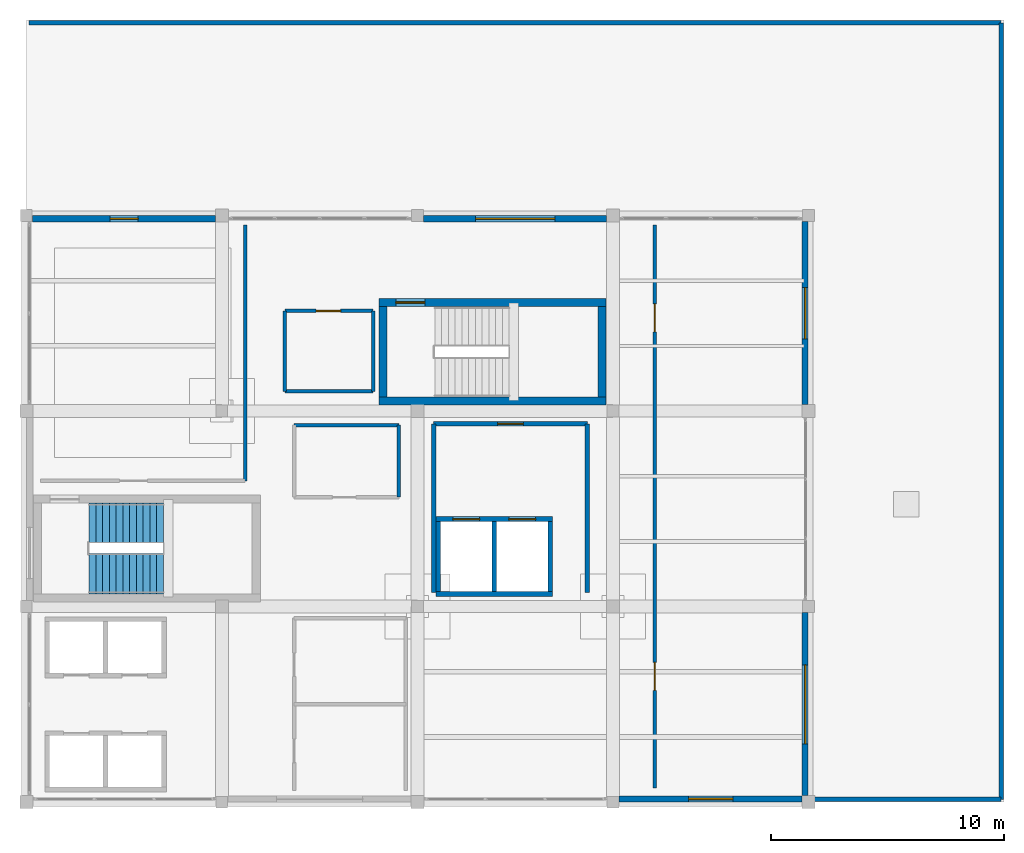
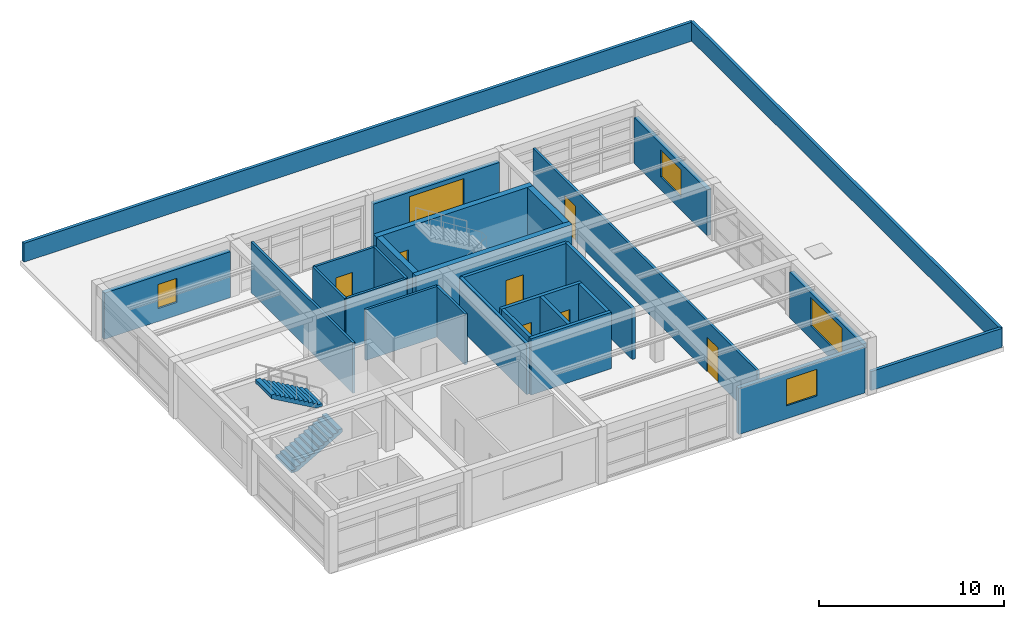
# One storey, part 20 of 22: 28 walls, 7 doors, 5 windows, 2 stair flights, 12 openings, 1 element without a shape of its own.
"""IFC4 building model written with IfcOpenShell, lengths in metres."""

from ifc_helpers import new_model, si_unit, direction, frame, frame_2d, origin, place, context, subcontext, project, spatial, polyline, rectangle, outline, extrude, material, layer, layer_set, type_object, element, fill, aggregate, save


model = new_model("IFC4")

# Units and contexts
model_context = context("Model", 3, precision=1e-05, world=origin(), true_north=direction((0.0, 1.0)))
body_context = subcontext(model_context, "Body", "Model", "MODEL_VIEW")
ifc_project = project(units=[si_unit("LENGTHUNIT", "METRE"), si_unit("AREAUNIT", "SQUARE_METRE"), si_unit("VOLUMEUNIT", "CUBIC_METRE"), si_unit("PLANEANGLEUNIT", "RADIAN"), si_unit("MASSUNIT", "GRAM", prefix="KILO")], contexts=[model_context])

# Site, building, storey
site_placement = place(None, origin())
site = spatial("IfcSite", under=ifc_project, at=site_placement, CompositionType="ELEMENT")
building_placement = place(site_placement, origin())
building = spatial("IfcBuilding", under=site, at=building_placement, Name="Almacenes y Pasaje Nevantli", CompositionType="ELEMENT")
storey_placement = place(building_placement, frame((0.0, 0.0, 58.699951171875)))
storey = spatial("IfcBuildingStorey", under=building, at=storey_placement, Name="L14", CompositionType="ELEMENT", Elevation=58.699951171875)

# Wall, opening, door
ifc_material_1 = material(Name="Fire-Rated Concrete Blockwork", Category="masonry")
ifc_layer_1 = layer(ifc_material_1, 0.199951171875)
ifc_layer_set_1 = layer_set([ifc_layer_1], Name="Fire-Rated Concrete Blockwork")
wall_type_1 = type_object("IfcWallType", Name="WL-COMP-200", PredefinedType="PARTITIONING", material=ifc_layer_set_1)
wall_1_placement = place(storey_placement, frame((135.10009765625, 83.449951171875, 0.0), z_axis=(0.0, 0.0, 1.0), x_axis=(1.0, 0.0, 0.0)))
wall_1 = element("IfcWall", 1, at=wall_1_placement, inside=storey, type_object=wall_type_1, Name="L14 Interior Partition Wall IW-200 #240", PredefinedType="PARTITIONING", context=body_context, shape_type="SweptSolid", body=[
    extrude(rectangle(XDim=6.599853515625, YDim=0.199951171875, at=frame_2d((3.2998046875, 0.0))), origin(), (0.0, 0.0, 1.0), 3.340087890625),
])
opening_1_placement = place(wall_1_placement, frame((2.75, 0.0, 0.0)))
opening_1 = element("IfcOpeningElement", 2, at=opening_1_placement, cuts=wall_1, Name="Opening ID-L14-129", PredefinedType="OPENING", context=body_context, shape_type="SweptSolid", body=[
    extrude(rectangle(XDim=1.10009765625, YDim=2.199951171875, at=frame_2d((0.550048828125, 1.10009765625))), frame((0.0, 0.10986328125, 0.0), z_axis=(0.0, -1.0, 0.0), x_axis=(1.0, 0.0, 0.0)), (0.0, 0.0, 1.0), 0.219970703125),
])
ifc_material_2 = material(Name="Galvanized Fire-Rated Steel", Category="steel")
door_type_1 = type_object("IfcDoorType", Name="DR-FD90-1100R", OperationType="SINGLE_SWING_RIGHT", PredefinedType="DOOR", material=ifc_material_2)
door_1_placement = place(opening_1_placement, origin())
door_1 = element("IfcDoor", 3, at=door_1_placement, inside=storey, type_object=door_type_1, Name="L14 Firefighting Lobby Door", OperationType="SINGLE_SWING_RIGHT", OverallHeight=2.199951171875, OverallWidth=1.10009765625, PredefinedType="DOOR", context=body_context, shape_type="SweptSolid", body=[
    extrude(rectangle(XDim=1.10009765625, YDim=2.199951171875, at=frame_2d((0.550048828125, 1.10009765625))), frame((0.0, 0.02490234375, 0.0), z_axis=(0.0, -1.0, 0.0), x_axis=(1.0, 0.0, 0.0)), (0.0, 0.0, 1.0), 0.050048828125),
])
fill(opening_1, door_1)

# Walls
for number, where, z_axis, x_axis, name in (
    (4, (135.10009765625, 76.199951171875, 0.0), (0.0, 0.0, 1.0), (0.0, 1.0, 0.0), "L14 Interior Partition Wall IW-200 #241"),
    (5, (141.699951171875, 76.199951171875, 0.0), (0.0, 0.0, 1.0), (0.0, 1.0, 0.0), "L14 Interior Partition Wall IW-200 #242"),
):
    element("IfcWall", number, at=place(storey_placement, frame(where, z_axis=z_axis, x_axis=x_axis)), inside=storey, type_object=wall_type_1, Name=name, PredefinedType="PARTITIONING", context=body_context, shape_type="SweptSolid", body=[
        extrude(rectangle(XDim=7.25, YDim=0.199951171875, at=frame_2d((3.625, 0.0))), origin(), (0.0, 0.0, 1.0), 3.340087890625),
    ])
ifc_material_3 = material(Name="Concrete C45/55", Category="concrete")
ifc_layer_2 = layer(ifc_material_3, 0.35009765625)
ifc_layer_set_2 = layer_set([ifc_layer_2], Name="Concrete C45/55")
wall_type_2 = type_object("IfcWallType", Name="WL-CORE-350", PredefinedType="SHEAR", material=ifc_layer_set_2)
wall_2_placement = place(storey_placement, frame((132.75, 84.425048828125, 0.0), z_axis=(0.0, 0.0, 1.0), x_axis=(1.0, 0.0, 0.0)))
element("IfcWall", 6, at=wall_2_placement, inside=storey, type_object=wall_type_2, Name="L14 Exit Stair ST-02 South Core Shear Wall", PredefinedType="SHEAR", context=body_context, shape_type="SweptSolid", body=[
    extrude(rectangle(XDim=9.75, YDim=0.35009765625, at=frame_2d((4.875, 0.0))), origin(), (0.0, 0.0, 1.0), 3.719970703125),
])

# Wall, opening, door
wall_3_placement = place(storey_placement, frame((132.75, 88.6650390625, 0.0), z_axis=(0.0, 0.0, 1.0), x_axis=(1.0, 0.0, 0.0)))
wall_3 = element("IfcWall", 7, at=wall_3_placement, inside=storey, type_object=wall_type_2, Name="L14 Exit Stair ST-02 North Core Shear Wall", PredefinedType="SHEAR", context=body_context, shape_type="SweptSolid", body=[
    extrude(rectangle(XDim=9.75, YDim=0.35009765625, at=frame_2d((4.875, 0.0))), origin(), (0.0, 0.0, 1.0), 3.719970703125),
])
opening_2_placement = place(wall_3_placement, frame((0.719970703125, 0.0, 0.0)))
opening_2 = element("IfcOpeningElement", 8, at=opening_2_placement, cuts=wall_3, Name="Opening SD-02-L14", PredefinedType="OPENING", context=body_context, shape_type="SweptSolid", body=[
    extrude(rectangle(XDim=1.25, YDim=2.199951171875, at=frame_2d((0.625, 1.10009765625))), frame((0.0, 0.18505859375, 0.0), z_axis=(0.0, -1.0, 0.0), x_axis=(1.0, 0.0, 0.0)), (0.0, 0.0, 1.0), 0.3701171875),
])
ifc_material_4 = material(Name="Galvanized Fire-Rated Steel", Category="steel")
door_type_2 = type_object("IfcDoorType", Name="DR-STAIR-1250R", OperationType="SINGLE_SWING_RIGHT", PredefinedType="DOOR", material=ifc_material_4)
door_2_placement = place(opening_2_placement, origin())
door_2 = element("IfcDoor", 9, at=door_2_placement, inside=storey, type_object=door_type_2, Name="L14 Smokeproof Exit Stair ST-02 Fire Door", OperationType="SINGLE_SWING_RIGHT", OverallHeight=2.199951171875, OverallWidth=1.25, PredefinedType="DOOR", context=body_context, shape_type="SweptSolid", body=[
    extrude(rectangle(XDim=1.25, YDim=2.199951171875, at=frame_2d((0.625, 1.10009765625))), frame((0.0, 0.02490234375, 0.0), z_axis=(0.0, -1.0, 0.0), x_axis=(1.0, 0.0, 0.0)), (0.0, 0.0, 1.0), 0.050048828125),
])
fill(opening_2, door_2)

# Walls
for number, where, z_axis, x_axis, name in (
    (10, (132.925048828125, 84.60009765625, 0.0), (0.0, 0.0, 1.0), (0.0, 1.0, 0.0), "L14 Exit Stair ST-02 West Core Shear Wall"),
    (11, (142.324951171875, 84.60009765625, 0.0), (0.0, 0.0, 1.0), (0.0, 1.0, 0.0), "L14 Exit Stair ST-02 East Core Shear Wall"),
):
    element("IfcWall", number, at=place(storey_placement, frame(where, z_axis=z_axis, x_axis=x_axis)), inside=storey, type_object=wall_type_2, Name=name, PredefinedType="SHEAR", context=body_context, shape_type="SweptSolid", body=[
        extrude(rectangle(XDim=3.889892578125, YDim=0.35009765625, at=frame_2d((1.94482421875, 0.0))), origin(), (0.0, 0.0, 1.0), 3.719970703125),
    ])

# Wall, opening, window
ifc_material_5 = material(Name="Architectural Precast Concrete C35/45 Spandrel Wall", Category="concrete")
ifc_layer_3 = layer(ifc_material_5, 0.280029296875)
ifc_layer_set_3 = layer_set([ifc_layer_3], Name="Architectural Precast Concrete C35/45 Spandrel Wall")
wall_type_3 = type_object("IfcWallType", Name="WL-EXT-CANTERA-280", PredefinedType="SOLIDWALL", material=ifc_layer_set_3)
wall_4_placement = place(storey_placement, frame((117.85205078125, 92.260009765625, 0.0), z_axis=(0.0, 0.0, 1.0), x_axis=(1.0, 0.0, 0.0)))
wall_4 = element("IfcWall", 12, at=wall_4_placement, inside=storey, type_object=wall_type_3, Name="L14 Tower North Polychrome Cantera Wall Bay 15", PredefinedType="SOLIDWALL", context=body_context, shape_type="SweptSolid", body=[
    extrude(rectangle(XDim=7.869873046875, YDim=0.280029296875, at=frame_2d((3.93505859375, 0.0))), origin(), (0.0, 0.0, 1.0), 3.0400390625),
])
opening_3_placement = place(wall_4_placement, frame((3.347900390625, 0.0, 0.85009765625)))
opening_3 = element("IfcOpeningElement", 13, at=opening_3_placement, cuts=wall_4, Name="Opening WT-35-268", PredefinedType="OPENING", context=body_context, shape_type="SweptSolid", body=[
    extrude(rectangle(XDim=1.199951171875, YDim=1.60009765625, at=frame_2d((0.60009765625, 0.800048828125))), frame((0.0, 0.14990234375, 0.0), z_axis=(0.0, -1.0, 0.0), x_axis=(1.0, 0.0, 0.0)), (0.0, 0.0, 1.0), 0.300048828125),
])
ifc_material_6 = material(Name="Thermally Broken Aluminium and Low-E Double Glazing", Category="aluminium")
window_type_1 = type_object("IfcWindowType", Name="WN-TWR-1200x1600", PartitioningType="SINGLE_PANEL", PredefinedType="WINDOW", material=ifc_material_6)
window_1_placement = place(opening_3_placement, origin())
window_1 = element("IfcWindow", 14, at=window_1_placement, inside=storey, type_object=window_type_1, Name="L14 Exterior Window WT-35 #268", OverallHeight=1.60009765625, OverallWidth=1.199951171875, PartitioningType="SINGLE_PANEL", PredefinedType="WINDOW", context=body_context, shape_type="SweptSolid", body=[
    extrude(rectangle(XDim=1.199951171875, YDim=1.60009765625, at=frame_2d((0.60009765625, 0.800048828125))), frame((0.0, 0.030029296875, 0.0), z_axis=(0.0, -1.0, 0.0), x_axis=(1.0, 0.0, 0.0)), (0.0, 0.0, 1.0), 0.06005859375),
])
fill(opening_3, window_1)

wall_5_placement = place(storey_placement, frame((134.654052734375, 92.260009765625, 0.0), z_axis=(0.0, 0.0, 1.0), x_axis=(1.0, 0.0, 0.0)))
wall_5 = element("IfcWall", 15, at=wall_5_placement, inside=storey, type_object=wall_type_3, Name="L14 Tower North Polychrome Cantera Wall Bay 17", PredefinedType="SOLIDWALL", context=body_context, shape_type="SweptSolid", body=[
    extrude(rectangle(XDim=7.867919921875, YDim=0.280029296875, at=frame_2d((3.93408203125, 0.0))), origin(), (0.0, 0.0, 1.0), 3.0400390625),
])
opening_4_placement = place(wall_5_placement, frame((2.24609375, 0.0, 0.85009765625)))
opening_4 = element("IfcOpeningElement", 16, at=opening_4_placement, cuts=wall_5, Name="Opening WT-27-270", PredefinedType="OPENING", context=body_context, shape_type="SweptSolid", body=[
    extrude(rectangle(XDim=3.39990234375, YDim=1.89990234375, at=frame_2d((1.699951171875, 0.949951171875))), frame((0.0, 0.14990234375, 0.0), z_axis=(0.0, -1.0, 0.0), x_axis=(1.0, 0.0, 0.0)), (0.0, 0.0, 1.0), 0.300048828125),
])
ifc_material_7 = material(Name="Thermally Broken Aluminium and Low-E Double Glazing", Category="aluminium")
window_type_2 = type_object("IfcWindowType", Name="WN-TWR-3400x1900", PartitioningType="SINGLE_PANEL", PredefinedType="WINDOW", material=ifc_material_7)
window_2_placement = place(opening_4_placement, origin())
window_2 = element("IfcWindow", 17, at=window_2_placement, inside=storey, type_object=window_type_2, Name="L14 Exterior Window WT-27 #270", OverallHeight=1.89990234375, OverallWidth=3.39990234375, PartitioningType="SINGLE_PANEL", PredefinedType="WINDOW", context=body_context, shape_type="SweptSolid", body=[
    extrude(rectangle(XDim=3.39990234375, YDim=1.89990234375, at=frame_2d((1.699951171875, 0.949951171875))), frame((0.0, 0.030029296875, 0.0), z_axis=(0.0, -1.0, 0.0), x_axis=(1.0, 0.0, 0.0)), (0.0, 0.0, 1.0), 0.06005859375),
])
fill(opening_4, window_2)

ifc_material_8 = material(Name="Cream Architectural Precast Concrete C35/45 Wall", Category="concrete")
ifc_layer_4 = layer(ifc_material_8, 0.260009765625)
ifc_layer_set_4 = layer_set([ifc_layer_4], Name="Cream Architectural Precast Concrete C35/45 Wall")
wall_type_4 = type_object("IfcWallType", Name="WL-EXT-PRECAST-260", PredefinedType="SOLIDWALL", material=ifc_layer_set_4)
wall_6_placement = place(storey_placement, frame((143.053955078125, 67.340087890625, 0.0), z_axis=(0.0, 0.0, 1.0), x_axis=(1.0, 0.0, 0.0)))
wall_6 = element("IfcWall", 18, at=wall_6_placement, inside=storey, type_object=wall_type_4, Name="L14 Tower South Precast Spandrel Wall Bay 18", PredefinedType="SOLIDWALL", context=body_context, shape_type="SweptSolid", body=[
    extrude(rectangle(XDim=7.8681640625, YDim=0.260009765625, at=frame_2d((3.93408203125, 0.0))), origin(), (0.0, 0.0, 1.0), 3.0400390625),
])
opening_5_placement = place(wall_6_placement, frame((2.99609375, 0.0, 0.85009765625)))
opening_5 = element("IfcOpeningElement", 19, at=opening_5_placement, cuts=wall_6, Name="Opening WT-32-271", PredefinedType="OPENING", context=body_context, shape_type="SweptSolid", body=[
    extrude(rectangle(XDim=1.89990234375, YDim=1.75, at=frame_2d((0.949951171875, 0.875))), frame((0.0, 0.139892578125, 0.0), z_axis=(0.0, -1.0, 0.0), x_axis=(1.0, 0.0, 0.0)), (0.0, 0.0, 1.0), 0.280029296875),
])
ifc_material_9 = material(Name="Thermally Broken Aluminium and Low-E Double Glazing", Category="aluminium")
window_type_3 = type_object("IfcWindowType", Name="WN-TWR-1900x1750", PartitioningType="SINGLE_PANEL", PredefinedType="WINDOW", material=ifc_material_9)
window_3_placement = place(opening_5_placement, origin())
window_3 = element("IfcWindow", 20, at=window_3_placement, inside=storey, type_object=window_type_3, Name="L14 Exterior Window WT-32 #271", OverallHeight=1.75, OverallWidth=1.89990234375, PartitioningType="SINGLE_PANEL", PredefinedType="WINDOW", context=body_context, shape_type="SweptSolid", body=[
    extrude(rectangle(XDim=1.89990234375, YDim=1.75, at=frame_2d((0.949951171875, 0.875))), frame((0.0, 0.030029296875, 0.0), z_axis=(0.0, -1.0, 0.0), x_axis=(1.0, 0.0, 0.0)), (0.0, 0.0, 1.0), 0.06005859375),
])
fill(opening_5, window_3)

wall_7_placement = place(storey_placement, frame((151.06005859375, 67.47802734375, 0.0), z_axis=(0.0, 0.0, 1.0), x_axis=(0.0, 1.0, 0.0)))
wall_7 = element("IfcWall", 21, at=wall_7_placement, inside=storey, type_object=wall_type_4, Name="L14 Tower East Precast Wall Bay 9", PredefinedType="SOLIDWALL", context=body_context, shape_type="SweptSolid", body=[
    extrude(rectangle(XDim=7.867919921875, YDim=0.260009765625, at=frame_2d((3.93408203125, 0.0))), origin(), (0.0, 0.0, 1.0), 3.0400390625),
])
opening_6_placement = place(wall_7_placement, frame((2.221923828125, 0.0, 0.85009765625)))
opening_6 = element("IfcOpeningElement", 22, at=opening_6_placement, cuts=wall_7, Name="Opening WT-27-272", PredefinedType="OPENING", context=body_context, shape_type="SweptSolid", body=[
    extrude(rectangle(XDim=3.39990234375, YDim=1.89990234375, at=frame_2d((1.699951171875, 0.949951171875))), frame((0.0, 0.139892578125, 0.0), z_axis=(0.0, -1.0, 0.0), x_axis=(1.0, 0.0, 0.0)), (0.0, 0.0, 1.0), 0.280029296875),
])
window_4_placement = place(opening_6_placement, origin())
window_4 = element("IfcWindow", 23, at=window_4_placement, inside=storey, type_object=window_type_2, Name="L14 Exterior Window WT-27 #272", OverallHeight=1.89990234375, OverallWidth=3.39990234375, PartitioningType="SINGLE_PANEL", PredefinedType="WINDOW", context=body_context, shape_type="SweptSolid", body=[
    extrude(rectangle(XDim=3.39990234375, YDim=1.89990234375, at=frame_2d((1.699951171875, 0.949951171875))), frame((0.0, 0.030029296875, 0.0), z_axis=(0.0, -1.0, 0.0), x_axis=(1.0, 0.0, 0.0)), (0.0, 0.0, 1.0), 0.06005859375),
])
fill(opening_6, window_4)

wall_8_placement = place(storey_placement, frame((151.06005859375, 84.278076171875, 0.0), z_axis=(0.0, 0.0, 1.0), x_axis=(0.0, 1.0, 0.0)))
wall_8 = element("IfcWall", 24, at=wall_8_placement, inside=storey, type_object=wall_type_4, Name="L14 Tower East Precast Wall Bay 11", PredefinedType="SOLIDWALL", context=body_context, shape_type="SweptSolid", body=[
    extrude(rectangle(XDim=7.869873046875, YDim=0.260009765625, at=frame_2d((3.93505859375, 0.0))), origin(), (0.0, 0.0, 1.0), 3.0400390625),
])
opening_7_placement = place(wall_8_placement, frame((2.822021484375, 0.0, 0.85009765625)))
opening_7 = element("IfcOpeningElement", 25, at=opening_7_placement, cuts=wall_8, Name="Opening WT-31-274", PredefinedType="OPENING", context=body_context, shape_type="SweptSolid", body=[
    extrude(rectangle(XDim=2.199951171875, YDim=1.800048828125, at=frame_2d((1.10009765625, 0.89990234375))), frame((0.0, 0.139892578125, 0.0), z_axis=(0.0, -1.0, 0.0), x_axis=(1.0, 0.0, 0.0)), (0.0, 0.0, 1.0), 0.280029296875),
])
ifc_material_10 = material(Name="Thermally Broken Aluminium and Low-E Double Glazing", Category="aluminium")
window_type_4 = type_object("IfcWindowType", Name="WN-TWR-2200x1800", PartitioningType="SINGLE_PANEL", PredefinedType="WINDOW", material=ifc_material_10)
window_5_placement = place(opening_7_placement, origin())
window_5 = element("IfcWindow", 26, at=window_5_placement, inside=storey, type_object=window_type_4, Name="L14 Exterior Window WT-31 #274", OverallHeight=1.800048828125, OverallWidth=2.199951171875, PartitioningType="SINGLE_PANEL", PredefinedType="WINDOW", context=body_context, shape_type="SweptSolid", body=[
    extrude(rectangle(XDim=2.199951171875, YDim=1.800048828125, at=frame_2d((1.10009765625, 0.89990234375))), frame((0.0, 0.030029296875, 0.0), z_axis=(0.0, -1.0, 0.0), x_axis=(1.0, 0.0, 0.0)), (0.0, 0.0, 1.0), 0.06005859375),
])
fill(opening_7, window_5)

# Walls
ifc_material_11 = material(Name="Reinforced Concrete C35/45 Tower Parapet", Category="concrete")
ifc_layer_5 = layer(ifc_material_11, 0.18994140625)
ifc_layer_set_5 = layer_set([ifc_layer_5], Name="Reinforced Concrete C35/45 Tower Parapet")
wall_type_5 = type_object("IfcWallType", Name="WL-PARAPET-190", PredefinedType="PARAPET", material=ifc_layer_set_5)
wall_9_placement = place(storey_placement, frame((117.719970703125, 100.679931640625, 0.0), z_axis=(0.0, 0.0, 1.0), x_axis=(1.0, 0.0, 0.0)))
element("IfcWall", 27, at=wall_9_placement, inside=storey, type_object=wall_type_5, Name="L14 Setback North Parapet", PredefinedType="PARAPET", context=body_context, shape_type="SweptSolid", body=[
    extrude(rectangle(XDim=41.760009765625, YDim=0.18994140625, at=frame_2d((20.8798828125, 0.0))), origin(), (0.0, 0.0, 1.0), 1.25),
])
wall_10_placement = place(storey_placement, frame((159.47998046875, 67.320068359375, 0.0), z_axis=(0.0, 0.0, 1.0), x_axis=(0.0, 1.0, 0.0)))
element("IfcWall", 28, at=wall_10_placement, inside=storey, type_object=wall_type_5, Name="L14 Setback East Parapet", PredefinedType="PARAPET", context=body_context, shape_type="SweptSolid", body=[
    extrude(rectangle(XDim=33.35986328125, YDim=0.18994140625, at=frame_2d((16.679931640625, 0.0))), origin(), (0.0, 0.0, 1.0), 1.25),
])
wall_11_placement = place(storey_placement, frame((151.320068359375, 67.320068359375, 0.0), z_axis=(0.0, 0.0, 1.0), x_axis=(1.0, 0.0, 0.0)))
element("IfcWall", 29, at=wall_11_placement, inside=storey, type_object=wall_type_5, Name="L14 Setback South Parapet", PredefinedType="PARAPET", context=body_context, shape_type="SweptSolid", body=[
    extrude(rectangle(XDim=8.159912109375, YDim=0.18994140625, at=frame_2d((4.080078125, 0.0))), origin(), (0.0, 0.0, 1.0), 1.25),
])
ifc_material_12 = material(Name="Acoustic Steel-Stud Gypsum Partition", Category="steel")
ifc_layer_6 = layer(ifc_material_12, 0.14990234375)
ifc_layer_set_6 = layer_set([ifc_layer_6], Name="Acoustic Steel-Stud Gypsum Partition")
wall_type_6 = type_object("IfcWallType", Name="WL-PART-150", PredefinedType="PARTITIONING", material=ifc_layer_set_6)
wall_12_placement = place(storey_placement, frame((129.10009765625, 83.39990234375, 0.0), z_axis=(0.0, 0.0, 1.0), x_axis=(1.0, 0.0, 0.0)))
element("IfcWall", 30, at=wall_12_placement, inside=storey, type_object=wall_type_6, Name="L14 Interior Partition Wall IW-150 #244", PredefinedType="PARTITIONING", context=body_context, shape_type="SweptSolid", body=[
    extrude(rectangle(XDim=4.5, YDim=0.14990234375, at=frame_2d((2.25, 0.0))), origin(), (0.0, 0.0, 1.0), 3.340087890625),
])
wall_13_placement = place(storey_placement, frame((133.60009765625, 80.300048828125, 0.0), z_axis=(0.0, 0.0, 1.0), x_axis=(0.0, 1.0, 0.0)))
element("IfcWall", 31, at=wall_13_placement, inside=storey, type_object=wall_type_6, Name="L14 Interior Partition Wall IW-150 #246", PredefinedType="PARTITIONING", context=body_context, shape_type="SweptSolid", body=[
    extrude(rectangle(XDim=3.099853515625, YDim=0.14990234375, at=frame_2d((1.5498046875, 0.0))), origin(), (0.0, 0.0, 1.0), 3.340087890625),
])

# Wall, opening, door
wall_14_placement = place(storey_placement, frame((128.699951171875, 88.300048828125, 0.0), z_axis=(0.0, 0.0, 1.0), x_axis=(1.0, 0.0, 0.0)))
wall_14 = element("IfcWall", 32, at=wall_14_placement, inside=storey, type_object=wall_type_6, Name="L14 Interior Partition Wall IW-150 #247", PredefinedType="PARTITIONING", context=body_context, shape_type="SweptSolid", body=[
    extrude(rectangle(XDim=3.800048828125, YDim=0.14990234375, at=frame_2d((1.89990234375, 0.0))), origin(), (0.0, 0.0, 1.0), 3.340087890625),
])
opening_8_placement = place(wall_14_placement, frame((1.35009765625, 0.0, 0.0)))
opening_8 = element("IfcOpeningElement", 33, at=opening_8_placement, cuts=wall_14, Name="Opening ID-L14-131", PredefinedType="OPENING", context=body_context, shape_type="SweptSolid", body=[
    extrude(rectangle(XDim=1.050048828125, YDim=2.14990234375, at=frame_2d((0.52490234375, 1.074951171875))), frame((0.0, 0.0849609375, 0.0), z_axis=(0.0, -1.0, 0.0), x_axis=(1.0, 0.0, 0.0)), (0.0, 0.0, 1.0), 0.169921875),
])
ifc_material_13 = material(Name="Powder-Coated Hollow Metal", Category="steel")
door_type_3 = type_object("IfcDoorType", Name="DR-ACC-1050", OperationType="SINGLE_SWING_RIGHT", PredefinedType="DOOR", material=ifc_material_13)
door_3_placement = place(opening_8_placement, origin())
door_3 = element("IfcDoor", 34, at=door_3_placement, inside=storey, type_object=door_type_3, Name="L14 Accessible WC Door", OperationType="SINGLE_SWING_RIGHT", OverallHeight=2.14990234375, OverallWidth=1.050048828125, PredefinedType="DOOR", context=body_context, shape_type="SweptSolid", body=[
    extrude(rectangle(XDim=1.050048828125, YDim=2.14990234375, at=frame_2d((0.52490234375, 1.074951171875))), frame((0.0, 0.02490234375, 0.0), z_axis=(0.0, -1.0, 0.0), x_axis=(1.0, 0.0, 0.0)), (0.0, 0.0, 1.0), 0.050048828125),
])
fill(opening_8, door_3)

# Walls
wall_15_placement = place(storey_placement, frame((128.699951171875, 84.85009765625, 0.0), z_axis=(0.0, 0.0, 1.0), x_axis=(1.0, 0.0, 0.0)))
element("IfcWall", 35, at=wall_15_placement, inside=storey, type_object=wall_type_6, Name="L14 Interior Partition Wall IW-150 #248", PredefinedType="PARTITIONING", context=body_context, shape_type="SweptSolid", body=[
    extrude(rectangle(XDim=3.800048828125, YDim=0.14990234375, at=frame_2d((1.89990234375, 0.0))), origin(), (0.0, 0.0, 1.0), 3.340087890625),
])
for number, where, z_axis, x_axis, name in (
    (36, (128.699951171875, 84.85009765625, 0.0), (0.0, 0.0, 1.0), (0.0, 1.0, 0.0), "L14 Interior Partition Wall IW-150 #249"),
    (37, (132.5, 84.85009765625, 0.0), (0.0, 0.0, 1.0), (0.0, 1.0, 0.0), "L14 Interior Partition Wall IW-150 #250"),
):
    element("IfcWall", number, at=place(storey_placement, frame(where, z_axis=z_axis, x_axis=x_axis)), inside=storey, type_object=wall_type_6, Name=name, PredefinedType="PARTITIONING", context=body_context, shape_type="SweptSolid", body=[
        extrude(rectangle(XDim=3.449951171875, YDim=0.14990234375, at=frame_2d((1.72509765625, 0.0))), origin(), (0.0, 0.0, 1.0), 3.340087890625),
    ])

# Wall, openings, doors
wall_16_placement = place(storey_placement, frame((144.60009765625, 67.800048828125, 0.0), z_axis=(0.0, 0.0, 1.0), x_axis=(0.0, 1.0, 0.0)))
wall_16 = element("IfcWall", 38, at=wall_16_placement, inside=storey, type_object=wall_type_6, Name="L14 Interior Partition Wall IW-150 #255", PredefinedType="PARTITIONING", context=body_context, shape_type="SweptSolid", body=[
    extrude(rectangle(XDim=24.199951171875, YDim=0.14990234375, at=frame_2d((12.10009765625, 0.0))), origin(), (0.0, 0.0, 1.0), 3.340087890625),
])
opening_9_placement = place(wall_16_placement, frame((4.199951171875, 0.0, 0.0)))
opening_9 = element("IfcOpeningElement", 39, at=opening_9_placement, cuts=wall_16, Name="Opening ID-L14-134", PredefinedType="OPENING", context=body_context, shape_type="SweptSolid", body=[
    extrude(rectangle(XDim=1.199951171875, YDim=2.300048828125, at=frame_2d((0.60009765625, 1.14990234375))), frame((0.0, 0.0849609375, 0.0), z_axis=(0.0, -1.0, 0.0), x_axis=(1.0, 0.0, 0.0)), (0.0, 0.0, 1.0), 0.169921875),
])
opening_10_placement = place(wall_16_placement, frame((19.60009765625, 0.0, 0.0)))
opening_10 = element("IfcOpeningElement", 40, at=opening_10_placement, cuts=wall_16, Name="Opening ID-L14-135", PredefinedType="OPENING", context=body_context, shape_type="SweptSolid", body=[
    extrude(rectangle(XDim=1.199951171875, YDim=2.300048828125, at=frame_2d((0.60009765625, 1.14990234375))), frame((0.0, 0.0849609375, 0.0), z_axis=(0.0, -1.0, 0.0), x_axis=(1.0, 0.0, 0.0)), (0.0, 0.0, 1.0), 0.169921875),
])
ifc_material_14 = material(Name="Anodized Aluminium and Tempered Acoustic Glass", Category="aluminium")
door_type_4 = type_object("IfcDoorType", Name="DR-ACU-1200", OperationType="SINGLE_SWING_LEFT", PredefinedType="DOOR", material=ifc_material_14)
door_4_placement = place(opening_9_placement, origin())
door_4 = element("IfcDoor", 41, at=door_4_placement, inside=storey, type_object=door_type_4, Name="L14 L14 Executive Suite South Door", OperationType="SINGLE_SWING_LEFT", OverallHeight=2.300048828125, OverallWidth=1.199951171875, PredefinedType="DOOR", context=body_context, shape_type="SweptSolid", body=[
    extrude(rectangle(XDim=1.199951171875, YDim=2.300048828125, at=frame_2d((0.60009765625, 1.14990234375))), frame((0.0, 0.02490234375, 0.0), z_axis=(0.0, -1.0, 0.0), x_axis=(1.0, 0.0, 0.0)), (0.0, 0.0, 1.0), 0.050048828125),
])
fill(opening_9, door_4)
ifc_material_15 = material(Name="Anodized Aluminium and Tempered Acoustic Glass", Category="aluminium")
door_type_5 = type_object("IfcDoorType", Name="DR-ACU-1200R", OperationType="SINGLE_SWING_RIGHT", PredefinedType="DOOR", material=ifc_material_15)
door_5_placement = place(opening_10_placement, origin())
door_5 = element("IfcDoor", 42, at=door_5_placement, inside=storey, type_object=door_type_5, Name="L14 L14 Executive Suite North Door", OperationType="SINGLE_SWING_RIGHT", OverallHeight=2.300048828125, OverallWidth=1.199951171875, PredefinedType="DOOR", context=body_context, shape_type="SweptSolid", body=[
    extrude(rectangle(XDim=1.199951171875, YDim=2.300048828125, at=frame_2d((0.60009765625, 1.14990234375))), frame((0.0, 0.02490234375, 0.0), z_axis=(0.0, -1.0, 0.0), x_axis=(1.0, 0.0, 0.0)), (0.0, 0.0, 1.0), 0.050048828125),
])
fill(opening_10, door_5)

# Walls
wall_17_placement = place(storey_placement, frame((127.0, 81.0, 0.0), z_axis=(0.0, 0.0, 1.0), x_axis=(0.0, 1.0, 0.0)))
element("IfcWall", 43, at=wall_17_placement, inside=storey, type_object=wall_type_6, Name="L14 Interior Partition Wall IW-150 #257", PredefinedType="PARTITIONING", context=body_context, shape_type="SweptSolid", body=[
    extrude(rectangle(XDim=11.0, YDim=0.14990234375, at=frame_2d((5.5, 0.0))), origin(), (0.0, 0.0, 1.0), 3.340087890625),
])
ifc_material_16 = material(Name="Concrete C45/55", Category="concrete")
ifc_layer_7 = layer(ifc_material_16, 0.2099609375)
ifc_layer_set_7 = layer_set([ifc_layer_7], Name="Concrete C45/55")
wall_type_7 = type_object("IfcWallType", Name="WL-SHAFT-210", PredefinedType="SHEAR", material=ifc_layer_set_7)
wall_18_placement = place(storey_placement, frame((135.18994140625, 76.14501953125, 0.0), z_axis=(0.0, 0.0, 1.0), x_axis=(1.0, 0.0, 0.0)))
element("IfcWall", 44, at=wall_18_placement, inside=storey, type_object=wall_type_7, Name="L14 Lift Hoistway ELV-FF1-ELV-FF2 South Wall", PredefinedType="SHEAR", context=body_context, shape_type="SweptSolid", body=[
    extrude(rectangle(XDim=5.02001953125, YDim=0.2099609375, at=frame_2d((2.510009765625, 0.0))), origin(), (0.0, 0.0, 1.0), 3.719970703125),
])

# Wall, openings, doors
wall_19_placement = place(storey_placement, frame((135.18994140625, 79.35498046875, 0.0), z_axis=(0.0, 0.0, 1.0), x_axis=(1.0, 0.0, 0.0)))
wall_19 = element("IfcWall", 45, at=wall_19_placement, inside=storey, type_object=wall_type_7, Name="L14 Lift Hoistway ELV-FF1-ELV-FF2 North Wall", PredefinedType="SHEAR", context=body_context, shape_type="SweptSolid", body=[
    extrude(rectangle(XDim=5.02001953125, YDim=0.2099609375, at=frame_2d((2.510009765625, 0.0))), origin(), (0.0, 0.0, 1.0), 3.719970703125),
])
opening_11_placement = place(wall_19_placement, frame((0.735107421875, 0.0, 0.0)))
opening_11 = element("IfcOpeningElement", 46, at=opening_11_placement, cuts=wall_19, Name="Opening LD-FF1-L14", PredefinedType="OPENING", context=body_context, shape_type="SweptSolid", body=[
    extrude(rectangle(XDim=1.14990234375, YDim=2.199951171875, at=frame_2d((0.574951171875, 1.10009765625))), frame((0.0, 0.114990234375, 0.0), z_axis=(0.0, -1.0, 0.0), x_axis=(1.0, 0.0, 0.0)), (0.0, 0.0, 1.0), 0.22998046875),
])
opening_12_placement = place(wall_19_placement, frame((3.135009765625, 0.0, 0.0)))
opening_12 = element("IfcOpeningElement", 47, at=opening_12_placement, cuts=wall_19, Name="Opening LD-FF2-L14", PredefinedType="OPENING", context=body_context, shape_type="SweptSolid", body=[
    extrude(rectangle(XDim=1.14990234375, YDim=2.199951171875, at=frame_2d((0.574951171875, 1.10009765625))), frame((0.0, 0.114990234375, 0.0), z_axis=(0.0, -1.0, 0.0), x_axis=(1.0, 0.0, 0.0)), (0.0, 0.0, 1.0), 0.22998046875),
])
ifc_material_17 = material(Name="Fire-Rated Stainless Steel", Category="steel")
door_type_6 = type_object("IfcDoorType", Name="DR-LD-FF-1150", OperationType="DOUBLE_DOOR_SLIDING", PredefinedType="DOOR", material=ifc_material_17)
door_6_placement = place(opening_11_placement, origin())
door_6 = element("IfcDoor", 48, at=door_6_placement, inside=storey, type_object=door_type_6, Name="Lift Landing Door ELV-FF1 L14", OperationType="DOUBLE_DOOR_SLIDING", OverallHeight=2.199951171875, OverallWidth=1.14990234375, PredefinedType="DOOR", context=body_context, shape_type="SweptSolid", body=[
    extrude(rectangle(XDim=1.14990234375, YDim=2.199951171875, at=frame_2d((0.574951171875, 1.10009765625))), frame((0.0, 0.02490234375, 0.0), z_axis=(0.0, -1.0, 0.0), x_axis=(1.0, 0.0, 0.0)), (0.0, 0.0, 1.0), 0.050048828125),
])
fill(opening_11, door_6)
door_7_placement = place(opening_12_placement, origin())
door_7 = element("IfcDoor", 49, at=door_7_placement, inside=storey, type_object=door_type_6, Name="Lift Landing Door ELV-FF2 L14", OperationType="DOUBLE_DOOR_SLIDING", OverallHeight=2.199951171875, OverallWidth=1.14990234375, PredefinedType="DOOR", context=body_context, shape_type="SweptSolid", body=[
    extrude(rectangle(XDim=1.14990234375, YDim=2.199951171875, at=frame_2d((0.574951171875, 1.10009765625))), frame((0.0, 0.02490234375, 0.0), z_axis=(0.0, -1.0, 0.0), x_axis=(1.0, 0.0, 0.0)), (0.0, 0.0, 1.0), 0.050048828125),
])
fill(opening_12, door_7)

# Walls
for number, where, z_axis, x_axis, name in (
    (50, (135.294921875, 76.25, 0.0), (0.0, 0.0, 1.0), (0.0, 1.0, 0.0), "L14 Lift Hoistway ELV-FF1 West Wall"),
    (51, (140.10498046875, 76.25, 0.0), (0.0, 0.0, 1.0), (0.0, 1.0, 0.0), "L14 Lift Hoistway ELV-FF2 East Wall"),
    (52, (137.699951171875, 76.25, 0.0), (0.0, 0.0, 1.0), (0.0, 1.0, 0.0), "L14 Lift Hoistway Divider Wall ELV-FF1/ELV-FF2"),
):
    element("IfcWall", number, at=place(storey_placement, frame(where, z_axis=z_axis, x_axis=x_axis)), inside=storey, type_object=wall_type_7, Name=name, PredefinedType="SHEAR", context=body_context, shape_type="SweptSolid", body=[
        extrude(rectangle(XDim=3.0, YDim=0.2099609375, at=frame_2d((1.5, 0.0))), origin(), (0.0, 0.0, 1.0), 3.719970703125),
    ])

# Stair, stair flights
ifc_material_18 = material(Name="Concrete C35/45", Category="concrete")
stair_type = type_object("IfcStairType", Name="STR-CORE-1720", PredefinedType="HALF_TURN_STAIR", material=ifc_material_18)
stair_placement = place(storey_placement, origin())
stair = element("IfcStair", 53, at=stair_placement, inside=storey, type_object=stair_type, Name="L14 Staircase ST-01", PredefinedType="HALF_TURN_STAIR")
ifc_material_19 = material(Name="Concrete C35/45", Category="concrete")
ifc_layer_8 = layer(ifc_material_19, 0.199951171875)
ifc_layer_set_8 = layer_set([ifc_layer_8], Name="Concrete C35/45")
stair_flight_type = type_object("IfcStairFlightType", Name="SFL-RC-200", PredefinedType="STRAIGHT", material=ifc_layer_set_8)
stair_flight_1_placement = place(storey_placement, frame((120.300048828125, 77.010009765625, 0.0), z_axis=(0.0, 0.0, 1.0), x_axis=(1.0, 0.0, 0.0)))
stair_flight_1 = element("IfcStairFlight", 54, at=stair_flight_1_placement, type_object=stair_flight_type, Name="ST-01-L14 flight 1", NumberOfRisers=12, NumberOfTreads=11, PredefinedType="STRAIGHT", RiserHeight=0.166667, TreadLength=0.29, context=body_context, shape_type="SweptSolid", body=[
    extrude(outline(polyline([(0.0, 0.0), (0.0, 0.166748046875), (0.2900390625, 0.166748046875), (0.2900390625, 0.333251953125), (0.580078125, 0.333251953125), (0.580078125, 0.5), (0.8701171875, 0.5), (0.8701171875, 0.666748046875), (1.159912109375, 0.666748046875), (1.159912109375, 0.833251953125), (1.449951171875, 0.833251953125), (1.449951171875, 1.0), (1.739990234375, 1.0), (1.739990234375, 1.166748046875), (2.030029296875, 1.166748046875), (2.030029296875, 1.333251953125), (2.320068359375, 1.333251953125), (2.320068359375, 1.5), (2.610107421875, 1.5), (2.610107421875, 1.666748046875), (2.89990234375, 1.666748046875), (2.89990234375, 1.833251953125), (3.18994140625, 1.833251953125), (3.18994140625, 2.0), (3.18994140625, 1.602783203125), (0.4013671875, 0.0), (0.0, 0.0)])), frame((0.0, 0.85986328125, 0.0), z_axis=(0.0, -1.0, 0.0), x_axis=(1.0, 0.0, 0.0)), (0.0, 0.0, 1.0), 1.719970703125),
])
stair_flight_2_placement = place(storey_placement, frame((123.489990234375, 79.179931640625, 2.0), z_axis=(0.0, 0.0, 1.0), x_axis=(-1.0, 0.0, 0.0)))
stair_flight_2 = element("IfcStairFlight", 55, at=stair_flight_2_placement, type_object=stair_flight_type, Name="ST-01-L14 flight 2", NumberOfRisers=12, NumberOfTreads=11, PredefinedType="STRAIGHT", RiserHeight=0.166667, TreadLength=0.29, context=body_context, shape_type="SweptSolid", body=[
    extrude(outline(polyline([(0.0, 0.0), (0.0, 0.166748046875), (0.2900390625, 0.166748046875), (0.2900390625, 0.333251953125), (0.580078125, 0.333251953125), (0.580078125, 0.5), (0.8701171875, 0.5), (0.8701171875, 0.666748046875), (1.159912109375, 0.666748046875), (1.159912109375, 0.833251953125), (1.449951171875, 0.833251953125), (1.449951171875, 1.0), (1.739990234375, 1.0), (1.739990234375, 1.166748046875), (2.030029296875, 1.166748046875), (2.030029296875, 1.333251953125), (2.320068359375, 1.333251953125), (2.320068359375, 1.5), (2.610107421875, 1.5), (2.610107421875, 1.666748046875), (2.89990234375, 1.666748046875), (2.89990234375, 1.833251953125), (3.18994140625, 1.833251953125), (3.18994140625, 2.0), (3.18994140625, 1.602783203125), (0.4013671875, 0.0), (0.0, 0.0)])), frame((0.0, 0.85986328125, 0.0), z_axis=(0.0, -1.0, 0.0), x_axis=(1.0, 0.0, 0.0)), (0.0, 0.0, 1.0), 1.719970703125),
])
aggregate(stair, [stair_flight_1, stair_flight_2])

save(model, "model.ifc")
